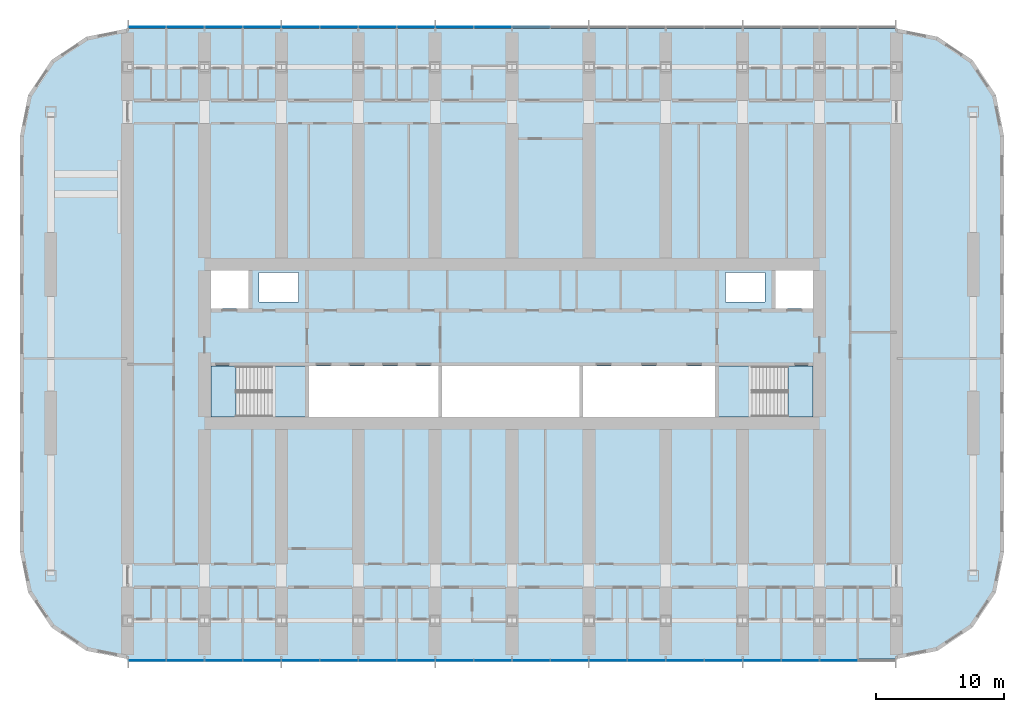
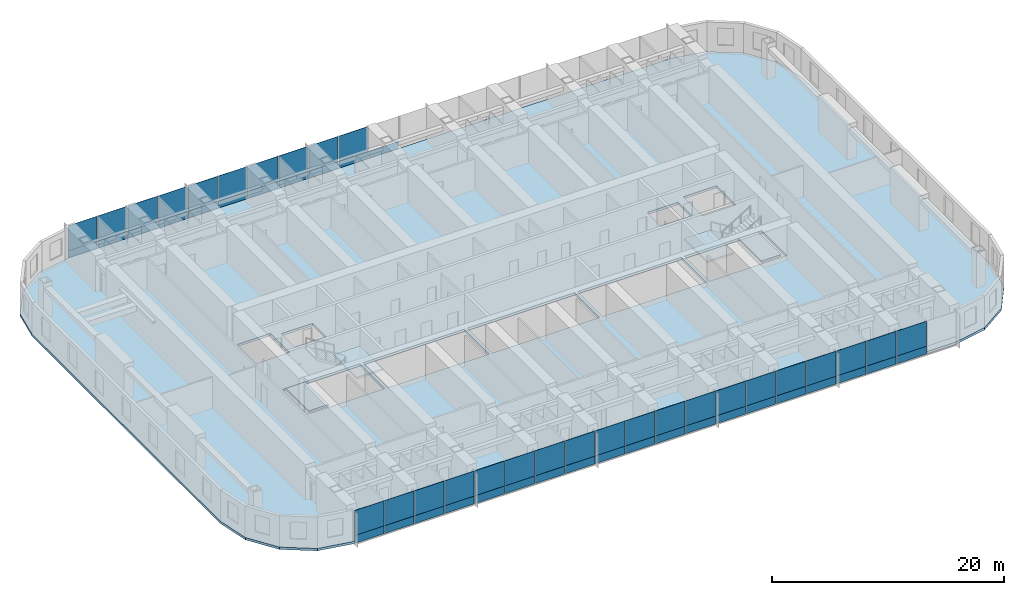
# One storey, part 8 of 24: 59 plates, 5 slabs, 4 elements without a shape of their own.
"""IFC4 building model written with IfcOpenShell, lengths in metres."""

from ifc_helpers import new_model, si_unit, direction, frame, origin, origin_2d, place, context, subcontext, project, spatial, polyline, rectangle, outline, extrude, material, layer, layer_set, type_object, element, aggregate, save


model = new_model("IFC4")

# Units and contexts
model_context = context("Model", 3, precision=1e-05, world=origin(), true_north=direction((0.0, 1.0)))
body_context = subcontext(model_context, "Body", "Model", "MODEL_VIEW")
ifc_project = project(units=[si_unit("LENGTHUNIT", "METRE"), si_unit("AREAUNIT", "SQUARE_METRE"), si_unit("VOLUMEUNIT", "CUBIC_METRE"), si_unit("PLANEANGLEUNIT", "RADIAN"), si_unit("MASSUNIT", "GRAM", prefix="KILO")], contexts=[model_context])

# Site, building, storey
site_placement = place(None, origin())
site = spatial("IfcSite", under=ifc_project, at=site_placement, CompositionType="ELEMENT")
building_placement = place(site_placement, origin())
building = spatial("IfcBuilding", under=site, at=building_placement, Name="Orbita Commons", CompositionType="ELEMENT")
storey_placement = place(building_placement, frame((0.0, 0.0, 20.199951171875)))
storey = spatial("IfcBuildingStorey", under=building, at=storey_placement, Name="L04", CompositionType="ELEMENT", Elevation=20.199951171875)

# Slab
ifc_material_1 = material(Name="Concrete C40/50", Category="concrete")
ifc_layer_1 = layer(ifc_material_1, 0.25)
ifc_layer_set_1 = layer_set([ifc_layer_1], Name="Concrete C40/50")
slab_type_1 = type_object("IfcSlabType", Name="Floor slab 250", PredefinedType="FLOOR", material=ifc_layer_set_1)
slab_1_placement = place(storey_placement, frame((0.0, 0.0, -0.25)))
element("IfcSlab", 1, at=slab_1_placement, inside=storey, type_object=slab_type_1, Name="Floor slab L04", PredefinedType="FLOOR", context=body_context, shape_type="SweptSolid", body=[
    extrude(outline(polyline([(72.0, 7.39990234375), (75.214599609375, 8.039306640625), (77.939697265625, 9.8603515625), (79.760498046875, 12.58544921875), (80.39990234375, 15.800048828125), (80.39990234375, 48.199951171875), (79.760498046875, 51.41455078125), (77.939697265625, 54.1396484375), (75.214599609375, 55.960693359375), (72.0, 56.60009765625), (12.0, 56.60009765625), (8.785400390625, 55.960693359375), (6.060302734375, 54.1396484375), (4.239501953125, 51.41455078125), (3.60009765625, 48.199951171875), (3.60009765625, 15.800048828125), (4.239501953125, 12.58544921875), (6.060302734375, 9.8603515625), (8.785400390625, 8.039306640625), (12.0, 7.39990234375), (72.0, 7.39990234375)]), holes=[polyline([(18.14990234375, 25.949951171875), (25.85009765625, 25.949951171875), (25.85009765625, 30.25), (18.14990234375, 30.25), (18.14990234375, 25.949951171875)]), polyline([(58.14990234375, 25.949951171875), (65.85009765625, 25.949951171875), (65.85009765625, 30.25), (58.14990234375, 30.25), (58.14990234375, 25.949951171875)]), polyline([(18.14990234375, 34.75), (21.449951171875, 34.75), (21.449951171875, 38.050048828125), (18.14990234375, 38.050048828125), (18.14990234375, 34.75)]), polyline([(62.550048828125, 34.75), (65.85009765625, 34.75), (65.85009765625, 38.050048828125), (62.550048828125, 38.050048828125), (62.550048828125, 34.75)]), polyline([(22.25, 35.25), (25.35009765625, 35.25), (25.35009765625, 37.550048828125), (22.25, 37.550048828125), (22.25, 35.25)]), polyline([(58.64990234375, 35.25), (61.75, 35.25), (61.75, 37.550048828125), (58.64990234375, 37.550048828125), (58.64990234375, 35.25)]), polyline([(26.14990234375, 25.949951171875), (36.25, 25.949951171875), (36.25, 30.25), (26.14990234375, 30.25), (26.14990234375, 25.949951171875)]), polyline([(36.550048828125, 25.949951171875), (47.25, 25.949951171875), (47.25, 30.25), (36.550048828125, 30.25), (36.550048828125, 25.949951171875)]), polyline([(47.550048828125, 25.949951171875), (57.85009765625, 25.949951171875), (57.85009765625, 30.25), (47.550048828125, 30.25), (47.550048828125, 25.949951171875)])]), origin(), (0.0, 0.0, 1.0), 0.25),
])

# Curtain wall, plates
ifc_material_2 = material(Name="Anodised aluminium frame, pale silver", Category="aluminium")
curtain_wall_type = type_object("IfcCurtainWallType", Name="Unitised curtain wall CW-T, vision and spandrel", PredefinedType="NOTDEFINED", material=ifc_material_2)
curtain_wall_1_placement = place(storey_placement, origin())
curtain_wall_1 = element("IfcCurtainWall", 2, at=curtain_wall_1_placement, inside=storey, type_object=curtain_wall_type, Name="Curtain wall south L04", PredefinedType="NOTDEFINED")
ifc_material_3 = material(Name="Anodised aluminium sheet on mineral wool", Category="aluminium")
ifc_layer_2 = layer(ifc_material_3, 0.050048828125)
ifc_layer_set_2 = layer_set([ifc_layer_2], Name="Anodised aluminium sheet on mineral wool")
plate_type_1 = type_object("IfcPlateType", Name="Spandrel panel, pale aluminium over insulation 50", PredefinedType="CURTAIN_PANEL", material=ifc_layer_set_2)
plate_1_placement = place(storey_placement, frame((13.52001953125, 7.2900390625, -0.14990234375), z_axis=(0.0, 0.0, 1.0), x_axis=(1.0, 0.0, 0.0)))
plate_1 = element("IfcPlate", 3, at=plate_1_placement, type_object=plate_type_1, Name="Panel 1.1 CW-L04-S", PredefinedType="CURTAIN_PANEL", context=body_context, shape_type="SweptSolid", body=[
    extrude(rectangle(XDim=2.8798828125, YDim=0.050048828125, at=origin_2d()), origin(), (0.0, 0.0, 1.0), 0.822998046875),
])
plate_2_placement = place(storey_placement, frame((16.5, 7.2900390625, -0.14990234375), z_axis=(0.0, 0.0, 1.0), x_axis=(1.0, 0.0, 0.0)))
plate_2 = element("IfcPlate", 4, at=plate_2_placement, type_object=plate_type_1, Name="Panel 2.1 CW-L04-S", PredefinedType="CURTAIN_PANEL", context=body_context, shape_type="SweptSolid", body=[
    extrude(rectangle(XDim=2.919921875, YDim=0.050048828125, at=origin_2d()), origin(), (0.0, 0.0, 1.0), 0.822998046875),
])
plate_3_placement = place(storey_placement, frame((19.5, 7.2900390625, -0.14990234375), z_axis=(0.0, 0.0, 1.0), x_axis=(1.0, 0.0, 0.0)))
plate_3 = element("IfcPlate", 5, at=plate_3_placement, type_object=plate_type_1, Name="Panel 3.1 CW-L04-S", PredefinedType="CURTAIN_PANEL", context=body_context, shape_type="SweptSolid", body=[
    extrude(rectangle(XDim=2.919921875, YDim=0.050048828125, at=origin_2d()), origin(), (0.0, 0.0, 1.0), 0.822998046875),
])
plate_4_placement = place(storey_placement, frame((22.5, 7.2900390625, -0.14990234375), z_axis=(0.0, 0.0, 1.0), x_axis=(1.0, 0.0, 0.0)))
plate_4 = element("IfcPlate", 6, at=plate_4_placement, type_object=plate_type_1, Name="Panel 4.1 CW-L04-S", PredefinedType="CURTAIN_PANEL", context=body_context, shape_type="SweptSolid", body=[
    extrude(rectangle(XDim=2.919921875, YDim=0.050048828125, at=origin_2d()), origin(), (0.0, 0.0, 1.0), 0.822998046875),
])
plate_5_placement = place(storey_placement, frame((25.5, 7.2900390625, -0.14990234375), z_axis=(0.0, 0.0, 1.0), x_axis=(1.0, 0.0, 0.0)))
plate_5 = element("IfcPlate", 7, at=plate_5_placement, type_object=plate_type_1, Name="Panel 5.1 CW-L04-S", PredefinedType="CURTAIN_PANEL", context=body_context, shape_type="SweptSolid", body=[
    extrude(rectangle(XDim=2.919921875, YDim=0.050048828125, at=origin_2d()), origin(), (0.0, 0.0, 1.0), 0.822998046875),
])
plate_6_placement = place(storey_placement, frame((28.5, 7.2900390625, -0.14990234375), z_axis=(0.0, 0.0, 1.0), x_axis=(1.0, 0.0, 0.0)))
plate_6 = element("IfcPlate", 8, at=plate_6_placement, type_object=plate_type_1, Name="Panel 6.1 CW-L04-S", PredefinedType="CURTAIN_PANEL", context=body_context, shape_type="SweptSolid", body=[
    extrude(rectangle(XDim=2.919921875, YDim=0.050048828125, at=origin_2d()), origin(), (0.0, 0.0, 1.0), 0.822998046875),
])
plate_7_placement = place(storey_placement, frame((31.5, 7.2900390625, -0.14990234375), z_axis=(0.0, 0.0, 1.0), x_axis=(1.0, 0.0, 0.0)))
plate_7 = element("IfcPlate", 9, at=plate_7_placement, type_object=plate_type_1, Name="Panel 7.1 CW-L04-S", PredefinedType="CURTAIN_PANEL", context=body_context, shape_type="SweptSolid", body=[
    extrude(rectangle(XDim=2.919921875, YDim=0.050048828125, at=origin_2d()), origin(), (0.0, 0.0, 1.0), 0.822998046875),
])
plate_8_placement = place(storey_placement, frame((34.5, 7.2900390625, -0.14990234375), z_axis=(0.0, 0.0, 1.0), x_axis=(1.0, 0.0, 0.0)))
plate_8 = element("IfcPlate", 10, at=plate_8_placement, type_object=plate_type_1, Name="Panel 8.1 CW-L04-S", PredefinedType="CURTAIN_PANEL", context=body_context, shape_type="SweptSolid", body=[
    extrude(rectangle(XDim=2.919921875, YDim=0.050048828125, at=origin_2d()), origin(), (0.0, 0.0, 1.0), 0.822998046875),
])
plate_9_placement = place(storey_placement, frame((37.5, 7.2900390625, -0.14990234375), z_axis=(0.0, 0.0, 1.0), x_axis=(1.0, 0.0, 0.0)))
plate_9 = element("IfcPlate", 11, at=plate_9_placement, type_object=plate_type_1, Name="Panel 9.1 CW-L04-S", PredefinedType="CURTAIN_PANEL", context=body_context, shape_type="SweptSolid", body=[
    extrude(rectangle(XDim=2.919921875, YDim=0.050048828125, at=origin_2d()), origin(), (0.0, 0.0, 1.0), 0.822998046875),
])
plate_10_placement = place(storey_placement, frame((40.5, 7.2900390625, -0.14990234375), z_axis=(0.0, 0.0, 1.0), x_axis=(1.0, 0.0, 0.0)))
plate_10 = element("IfcPlate", 12, at=plate_10_placement, type_object=plate_type_1, Name="Panel 10.1 CW-L04-S", PredefinedType="CURTAIN_PANEL", context=body_context, shape_type="SweptSolid", body=[
    extrude(rectangle(XDim=2.919921875, YDim=0.050048828125, at=origin_2d()), origin(), (0.0, 0.0, 1.0), 0.822998046875),
])
plate_11_placement = place(storey_placement, frame((43.5, 7.2900390625, -0.14990234375), z_axis=(0.0, 0.0, 1.0), x_axis=(1.0, 0.0, 0.0)))
plate_11 = element("IfcPlate", 13, at=plate_11_placement, type_object=plate_type_1, Name="Panel 11.1 CW-L04-S", PredefinedType="CURTAIN_PANEL", context=body_context, shape_type="SweptSolid", body=[
    extrude(rectangle(XDim=2.919921875, YDim=0.050048828125, at=origin_2d()), origin(), (0.0, 0.0, 1.0), 0.822998046875),
])
plate_12_placement = place(storey_placement, frame((46.5, 7.2900390625, -0.14990234375), z_axis=(0.0, 0.0, 1.0), x_axis=(1.0, 0.0, 0.0)))
plate_12 = element("IfcPlate", 14, at=plate_12_placement, type_object=plate_type_1, Name="Panel 12.1 CW-L04-S", PredefinedType="CURTAIN_PANEL", context=body_context, shape_type="SweptSolid", body=[
    extrude(rectangle(XDim=2.919921875, YDim=0.050048828125, at=origin_2d()), origin(), (0.0, 0.0, 1.0), 0.822998046875),
])
plate_13_placement = place(storey_placement, frame((49.5, 7.2900390625, -0.14990234375), z_axis=(0.0, 0.0, 1.0), x_axis=(1.0, 0.0, 0.0)))
plate_13 = element("IfcPlate", 15, at=plate_13_placement, type_object=plate_type_1, Name="Panel 13.1 CW-L04-S", PredefinedType="CURTAIN_PANEL", context=body_context, shape_type="SweptSolid", body=[
    extrude(rectangle(XDim=2.919921875, YDim=0.050048828125, at=origin_2d()), origin(), (0.0, 0.0, 1.0), 0.822998046875),
])
plate_14_placement = place(storey_placement, frame((52.5, 7.2900390625, -0.14990234375), z_axis=(0.0, 0.0, 1.0), x_axis=(1.0, 0.0, 0.0)))
plate_14 = element("IfcPlate", 16, at=plate_14_placement, type_object=plate_type_1, Name="Panel 14.1 CW-L04-S", PredefinedType="CURTAIN_PANEL", context=body_context, shape_type="SweptSolid", body=[
    extrude(rectangle(XDim=2.919921875, YDim=0.050048828125, at=origin_2d()), origin(), (0.0, 0.0, 1.0), 0.822998046875),
])
plate_15_placement = place(storey_placement, frame((55.5, 7.2900390625, -0.14990234375), z_axis=(0.0, 0.0, 1.0), x_axis=(1.0, 0.0, 0.0)))
plate_15 = element("IfcPlate", 17, at=plate_15_placement, type_object=plate_type_1, Name="Panel 15.1 CW-L04-S", PredefinedType="CURTAIN_PANEL", context=body_context, shape_type="SweptSolid", body=[
    extrude(rectangle(XDim=2.919921875, YDim=0.050048828125, at=origin_2d()), origin(), (0.0, 0.0, 1.0), 0.822998046875),
])
plate_16_placement = place(storey_placement, frame((58.5, 7.2900390625, -0.14990234375), z_axis=(0.0, 0.0, 1.0), x_axis=(1.0, 0.0, 0.0)))
plate_16 = element("IfcPlate", 18, at=plate_16_placement, type_object=plate_type_1, Name="Panel 16.1 CW-L04-S", PredefinedType="CURTAIN_PANEL", context=body_context, shape_type="SweptSolid", body=[
    extrude(rectangle(XDim=2.919921875, YDim=0.050048828125, at=origin_2d()), origin(), (0.0, 0.0, 1.0), 0.822998046875),
])
plate_17_placement = place(storey_placement, frame((61.5, 7.2900390625, -0.14990234375), z_axis=(0.0, 0.0, 1.0), x_axis=(1.0, 0.0, 0.0)))
plate_17 = element("IfcPlate", 19, at=plate_17_placement, type_object=plate_type_1, Name="Panel 17.1 CW-L04-S", PredefinedType="CURTAIN_PANEL", context=body_context, shape_type="SweptSolid", body=[
    extrude(rectangle(XDim=2.919921875, YDim=0.050048828125, at=origin_2d()), origin(), (0.0, 0.0, 1.0), 0.822998046875),
])
plate_18_placement = place(storey_placement, frame((64.5, 7.2900390625, -0.14990234375), z_axis=(0.0, 0.0, 1.0), x_axis=(1.0, 0.0, 0.0)))
plate_18 = element("IfcPlate", 20, at=plate_18_placement, type_object=plate_type_1, Name="Panel 18.1 CW-L04-S", PredefinedType="CURTAIN_PANEL", context=body_context, shape_type="SweptSolid", body=[
    extrude(rectangle(XDim=2.919921875, YDim=0.050048828125, at=origin_2d()), origin(), (0.0, 0.0, 1.0), 0.822998046875),
])
plate_19_placement = place(storey_placement, frame((67.5, 7.2900390625, -0.14990234375), z_axis=(0.0, 0.0, 1.0), x_axis=(1.0, 0.0, 0.0)))
plate_19 = element("IfcPlate", 21, at=plate_19_placement, type_object=plate_type_1, Name="Panel 19.1 CW-L04-S", PredefinedType="CURTAIN_PANEL", context=body_context, shape_type="SweptSolid", body=[
    extrude(rectangle(XDim=2.919921875, YDim=0.050048828125, at=origin_2d()), origin(), (0.0, 0.0, 1.0), 0.822998046875),
])

curtain_wall_2_placement = place(storey_placement, origin())
curtain_wall_2 = element("IfcCurtainWall", 22, at=curtain_wall_2_placement, inside=storey, type_object=curtain_wall_type, Name="Curtain wall north L04", PredefinedType="NOTDEFINED")
plate_20_placement = place(storey_placement, frame((43.5, 56.7099609375, -0.14990234375), z_axis=(0.0, 0.0, 1.0), x_axis=(-1.0, 0.0, 0.0)))
plate_20 = element("IfcPlate", 23, at=plate_20_placement, type_object=plate_type_1, Name="Panel 10.1 CW-L04-N", PredefinedType="CURTAIN_PANEL", context=body_context, shape_type="SweptSolid", body=[
    extrude(rectangle(XDim=2.919921875, YDim=0.050048828125, at=origin_2d()), origin(), (0.0, 0.0, 1.0), 0.822998046875),
])
plate_21_placement = place(storey_placement, frame((40.5, 56.7099609375, -0.14990234375), z_axis=(0.0, 0.0, 1.0), x_axis=(-1.0, 0.0, 0.0)))
plate_21 = element("IfcPlate", 24, at=plate_21_placement, type_object=plate_type_1, Name="Panel 11.1 CW-L04-N", PredefinedType="CURTAIN_PANEL", context=body_context, shape_type="SweptSolid", body=[
    extrude(rectangle(XDim=2.919921875, YDim=0.050048828125, at=origin_2d()), origin(), (0.0, 0.0, 1.0), 0.822998046875),
])
plate_22_placement = place(storey_placement, frame((37.5, 56.7099609375, -0.14990234375), z_axis=(0.0, 0.0, 1.0), x_axis=(-1.0, 0.0, 0.0)))
plate_22 = element("IfcPlate", 25, at=plate_22_placement, type_object=plate_type_1, Name="Panel 12.1 CW-L04-N", PredefinedType="CURTAIN_PANEL", context=body_context, shape_type="SweptSolid", body=[
    extrude(rectangle(XDim=2.919921875, YDim=0.050048828125, at=origin_2d()), origin(), (0.0, 0.0, 1.0), 0.822998046875),
])
plate_23_placement = place(storey_placement, frame((34.5, 56.7099609375, -0.14990234375), z_axis=(0.0, 0.0, 1.0), x_axis=(-1.0, 0.0, 0.0)))
plate_23 = element("IfcPlate", 26, at=plate_23_placement, type_object=plate_type_1, Name="Panel 13.1 CW-L04-N", PredefinedType="CURTAIN_PANEL", context=body_context, shape_type="SweptSolid", body=[
    extrude(rectangle(XDim=2.919921875, YDim=0.050048828125, at=origin_2d()), origin(), (0.0, 0.0, 1.0), 0.822998046875),
])
plate_24_placement = place(storey_placement, frame((31.5, 56.7099609375, -0.14990234375), z_axis=(0.0, 0.0, 1.0), x_axis=(-1.0, 0.0, 0.0)))
plate_24 = element("IfcPlate", 27, at=plate_24_placement, type_object=plate_type_1, Name="Panel 14.1 CW-L04-N", PredefinedType="CURTAIN_PANEL", context=body_context, shape_type="SweptSolid", body=[
    extrude(rectangle(XDim=2.919921875, YDim=0.050048828125, at=origin_2d()), origin(), (0.0, 0.0, 1.0), 0.822998046875),
])
plate_25_placement = place(storey_placement, frame((28.5, 56.7099609375, -0.14990234375), z_axis=(0.0, 0.0, 1.0), x_axis=(-1.0, 0.0, 0.0)))
plate_25 = element("IfcPlate", 28, at=plate_25_placement, type_object=plate_type_1, Name="Panel 15.1 CW-L04-N", PredefinedType="CURTAIN_PANEL", context=body_context, shape_type="SweptSolid", body=[
    extrude(rectangle(XDim=2.919921875, YDim=0.050048828125, at=origin_2d()), origin(), (0.0, 0.0, 1.0), 0.822998046875),
])
plate_26_placement = place(storey_placement, frame((25.5, 56.7099609375, -0.14990234375), z_axis=(0.0, 0.0, 1.0), x_axis=(-1.0, 0.0, 0.0)))
plate_26 = element("IfcPlate", 29, at=plate_26_placement, type_object=plate_type_1, Name="Panel 16.1 CW-L04-N", PredefinedType="CURTAIN_PANEL", context=body_context, shape_type="SweptSolid", body=[
    extrude(rectangle(XDim=2.919921875, YDim=0.050048828125, at=origin_2d()), origin(), (0.0, 0.0, 1.0), 0.822998046875),
])
plate_27_placement = place(storey_placement, frame((22.5, 56.7099609375, -0.14990234375), z_axis=(0.0, 0.0, 1.0), x_axis=(-1.0, 0.0, 0.0)))
plate_27 = element("IfcPlate", 30, at=plate_27_placement, type_object=plate_type_1, Name="Panel 17.1 CW-L04-N", PredefinedType="CURTAIN_PANEL", context=body_context, shape_type="SweptSolid", body=[
    extrude(rectangle(XDim=2.919921875, YDim=0.050048828125, at=origin_2d()), origin(), (0.0, 0.0, 1.0), 0.822998046875),
])
plate_28_placement = place(storey_placement, frame((19.5, 56.7099609375, -0.14990234375), z_axis=(0.0, 0.0, 1.0), x_axis=(-1.0, 0.0, 0.0)))
plate_28 = element("IfcPlate", 31, at=plate_28_placement, type_object=plate_type_1, Name="Panel 18.1 CW-L04-N", PredefinedType="CURTAIN_PANEL", context=body_context, shape_type="SweptSolid", body=[
    extrude(rectangle(XDim=2.919921875, YDim=0.050048828125, at=origin_2d()), origin(), (0.0, 0.0, 1.0), 0.822998046875),
])
plate_29_placement = place(storey_placement, frame((16.5, 56.7099609375, -0.14990234375), z_axis=(0.0, 0.0, 1.0), x_axis=(-1.0, 0.0, 0.0)))
plate_29 = element("IfcPlate", 32, at=plate_29_placement, type_object=plate_type_1, Name="Panel 19.1 CW-L04-N", PredefinedType="CURTAIN_PANEL", context=body_context, shape_type="SweptSolid", body=[
    extrude(rectangle(XDim=2.919921875, YDim=0.050048828125, at=origin_2d()), origin(), (0.0, 0.0, 1.0), 0.822998046875),
])
plate_30_placement = place(storey_placement, frame((13.52001953125, 56.7099609375, -0.14990234375), z_axis=(0.0, 0.0, 1.0), x_axis=(-1.0, 0.0, 0.0)))
plate_30 = element("IfcPlate", 33, at=plate_30_placement, type_object=plate_type_1, Name="Panel 20.1 CW-L04-N", PredefinedType="CURTAIN_PANEL", context=body_context, shape_type="SweptSolid", body=[
    extrude(rectangle(XDim=2.8798828125, YDim=0.050048828125, at=origin_2d()), origin(), (0.0, 0.0, 1.0), 0.822998046875),
])

# Stair, slabs
ifc_material_4 = material(Name="Precast concrete C40/50", Category="concrete")
stair_type_1 = type_object("IfcStairType", Name="Exit stair S1 2 flights 11 risers 170", PredefinedType="HALF_TURN_STAIR", material=ifc_material_4)
stair_1_placement = place(storey_placement, origin())
stair_1 = element("IfcStair", 34, at=stair_1_placement, inside=storey, type_object=stair_type_1, Name="Exit stair S1 L04", PredefinedType="HALF_TURN_STAIR")
ifc_material_5 = material(Name="Concrete C40/50", Category="concrete")
ifc_layer_3 = layer(ifc_material_5, 0.199951171875)
ifc_layer_set_3 = layer_set([ifc_layer_3], Name="Concrete C40/50")
slab_type_2 = type_object("IfcSlabType", Name="Stair landing 200", PredefinedType="LANDING", material=ifc_layer_set_3)
slab_2_placement = place(storey_placement, frame((0.0, 0.0, -0.199951171875)))
slab_2 = element("IfcSlab", 35, at=slab_2_placement, type_object=slab_type_2, Name="S1 landing 1", PredefinedType="LANDING", context=body_context, shape_type="SweptSolid", body=[
    extrude(outline(polyline([(18.5, 26.300048828125), (20.449951171875, 26.300048828125), (20.449951171875, 30.25), (18.5, 30.25), (18.5, 26.300048828125)])), origin(), (0.0, 0.0, 1.0), 0.199951171875),
])
slab_3_placement = place(storey_placement, frame((0.0, 0.0, 1.675048828125)))
slab_3 = element("IfcSlab", 36, at=slab_3_placement, type_object=slab_type_2, Name="S1 landing 2", PredefinedType="LANDING", context=body_context, shape_type="SweptSolid", body=[
    extrude(outline(polyline([(23.25, 26.284912109375), (25.864990234375, 26.284912109375), (25.864990234375, 30.264892578125), (23.25, 30.264892578125), (23.25, 26.284912109375)])), origin(), (0.0, 0.0, 1.0), 0.199951171875),
])
aggregate(stair_1, [slab_2, slab_3])

ifc_material_6 = material(Name="Precast concrete C40/50", Category="concrete")
stair_type_2 = type_object("IfcStairType", Name="Exit stair S2 2 flights 11 risers 170", PredefinedType="HALF_TURN_STAIR", material=ifc_material_6)
stair_2_placement = place(storey_placement, origin())
stair_2 = element("IfcStair", 37, at=stair_2_placement, inside=storey, type_object=stair_type_2, Name="Exit stair S2 L04", PredefinedType="HALF_TURN_STAIR")
slab_4_placement = place(storey_placement, frame((0.0, 0.0, -0.199951171875)))
slab_4 = element("IfcSlab", 38, at=slab_4_placement, type_object=slab_type_2, Name="S2 landing 1", PredefinedType="LANDING", context=body_context, shape_type="SweptSolid", body=[
    extrude(outline(polyline([(63.550048828125, 26.300048828125), (65.5, 26.300048828125), (65.5, 30.25), (63.550048828125, 30.25), (63.550048828125, 26.300048828125)])), origin(), (0.0, 0.0, 1.0), 0.199951171875),
])
slab_5_placement = place(storey_placement, frame((0.0, 0.0, 1.675048828125)))
slab_5 = element("IfcSlab", 39, at=slab_5_placement, type_object=slab_type_2, Name="S2 landing 2", PredefinedType="LANDING", context=body_context, shape_type="SweptSolid", body=[
    extrude(outline(polyline([(58.135009765625, 26.284912109375), (60.75, 26.284912109375), (60.75, 30.264892578125), (58.135009765625, 30.264892578125), (58.135009765625, 26.284912109375)])), origin(), (0.0, 0.0, 1.0), 0.199951171875),
])
aggregate(stair_2, [slab_4, slab_5])

# Plate
ifc_material_7 = material(Name="Clear double glazing", Category="glass")
ifc_layer_4 = layer(ifc_material_7, 0.031982421875)
ifc_layer_set_4 = layer_set([ifc_layer_4], Name="Clear double glazing")
plate_type_2 = type_object("IfcPlateType", Name="Vision panel, clear double glazing 32", PredefinedType="CURTAIN_PANEL", material=ifc_layer_set_4)
plate_31_placement = place(storey_placement, frame((13.52001953125, 7.2900390625, 0.673095703125), z_axis=(0.0, 0.0, 1.0), x_axis=(1.0, 0.0, 0.0)))
plate_31 = element("IfcPlate", 40, at=plate_31_placement, type_object=plate_type_2, Name="Panel 1.2 CW-L04-S", PredefinedType="CURTAIN_PANEL", context=body_context, shape_type="SweptSolid", body=[
    extrude(rectangle(XDim=2.8798828125, YDim=0.031982421875, at=origin_2d()), origin(), (0.0, 0.0, 1.0), 2.626953125),
])

plate_32_placement = place(storey_placement, frame((16.5, 7.2900390625, 0.673095703125), z_axis=(0.0, 0.0, 1.0), x_axis=(1.0, 0.0, 0.0)))
plate_32 = element("IfcPlate", 41, at=plate_32_placement, type_object=plate_type_2, Name="Panel 2.2 CW-L04-S", PredefinedType="CURTAIN_PANEL", context=body_context, shape_type="SweptSolid", body=[
    extrude(rectangle(XDim=2.919921875, YDim=0.031982421875, at=origin_2d()), origin(), (0.0, 0.0, 1.0), 2.626953125),
])

plate_33_placement = place(storey_placement, frame((19.5, 7.2900390625, 0.673095703125), z_axis=(0.0, 0.0, 1.0), x_axis=(1.0, 0.0, 0.0)))
plate_33 = element("IfcPlate", 42, at=plate_33_placement, type_object=plate_type_2, Name="Panel 3.2 CW-L04-S", PredefinedType="CURTAIN_PANEL", context=body_context, shape_type="SweptSolid", body=[
    extrude(rectangle(XDim=2.919921875, YDim=0.031982421875, at=origin_2d()), origin(), (0.0, 0.0, 1.0), 2.626953125),
])

plate_34_placement = place(storey_placement, frame((22.5, 7.2900390625, 0.673095703125), z_axis=(0.0, 0.0, 1.0), x_axis=(1.0, 0.0, 0.0)))
plate_34 = element("IfcPlate", 43, at=plate_34_placement, type_object=plate_type_2, Name="Panel 4.2 CW-L04-S", PredefinedType="CURTAIN_PANEL", context=body_context, shape_type="SweptSolid", body=[
    extrude(rectangle(XDim=2.919921875, YDim=0.031982421875, at=origin_2d()), origin(), (0.0, 0.0, 1.0), 2.626953125),
])

plate_35_placement = place(storey_placement, frame((25.5, 7.2900390625, 0.673095703125), z_axis=(0.0, 0.0, 1.0), x_axis=(1.0, 0.0, 0.0)))
plate_35 = element("IfcPlate", 44, at=plate_35_placement, type_object=plate_type_2, Name="Panel 5.2 CW-L04-S", PredefinedType="CURTAIN_PANEL", context=body_context, shape_type="SweptSolid", body=[
    extrude(rectangle(XDim=2.919921875, YDim=0.031982421875, at=origin_2d()), origin(), (0.0, 0.0, 1.0), 2.626953125),
])

plate_36_placement = place(storey_placement, frame((28.5, 7.2900390625, 0.673095703125), z_axis=(0.0, 0.0, 1.0), x_axis=(1.0, 0.0, 0.0)))
plate_36 = element("IfcPlate", 45, at=plate_36_placement, type_object=plate_type_2, Name="Panel 6.2 CW-L04-S", PredefinedType="CURTAIN_PANEL", context=body_context, shape_type="SweptSolid", body=[
    extrude(rectangle(XDim=2.919921875, YDim=0.031982421875, at=origin_2d()), origin(), (0.0, 0.0, 1.0), 2.626953125),
])

plate_37_placement = place(storey_placement, frame((31.5, 7.2900390625, 0.673095703125), z_axis=(0.0, 0.0, 1.0), x_axis=(1.0, 0.0, 0.0)))
plate_37 = element("IfcPlate", 46, at=plate_37_placement, type_object=plate_type_2, Name="Panel 7.2 CW-L04-S", PredefinedType="CURTAIN_PANEL", context=body_context, shape_type="SweptSolid", body=[
    extrude(rectangle(XDim=2.919921875, YDim=0.031982421875, at=origin_2d()), origin(), (0.0, 0.0, 1.0), 2.626953125),
])

plate_38_placement = place(storey_placement, frame((34.5, 7.2900390625, 0.673095703125), z_axis=(0.0, 0.0, 1.0), x_axis=(1.0, 0.0, 0.0)))
plate_38 = element("IfcPlate", 47, at=plate_38_placement, type_object=plate_type_2, Name="Panel 8.2 CW-L04-S", PredefinedType="CURTAIN_PANEL", context=body_context, shape_type="SweptSolid", body=[
    extrude(rectangle(XDim=2.919921875, YDim=0.031982421875, at=origin_2d()), origin(), (0.0, 0.0, 1.0), 2.626953125),
])

plate_39_placement = place(storey_placement, frame((37.5, 7.2900390625, 0.673095703125), z_axis=(0.0, 0.0, 1.0), x_axis=(1.0, 0.0, 0.0)))
plate_39 = element("IfcPlate", 48, at=plate_39_placement, type_object=plate_type_2, Name="Panel 9.2 CW-L04-S", PredefinedType="CURTAIN_PANEL", context=body_context, shape_type="SweptSolid", body=[
    extrude(rectangle(XDim=2.919921875, YDim=0.031982421875, at=origin_2d()), origin(), (0.0, 0.0, 1.0), 2.626953125),
])

plate_40_placement = place(storey_placement, frame((40.5, 7.2900390625, 0.673095703125), z_axis=(0.0, 0.0, 1.0), x_axis=(1.0, 0.0, 0.0)))
plate_40 = element("IfcPlate", 49, at=plate_40_placement, type_object=plate_type_2, Name="Panel 10.2 CW-L04-S", PredefinedType="CURTAIN_PANEL", context=body_context, shape_type="SweptSolid", body=[
    extrude(rectangle(XDim=2.919921875, YDim=0.031982421875, at=origin_2d()), origin(), (0.0, 0.0, 1.0), 2.626953125),
])

plate_41_placement = place(storey_placement, frame((43.5, 7.2900390625, 0.673095703125), z_axis=(0.0, 0.0, 1.0), x_axis=(1.0, 0.0, 0.0)))
plate_41 = element("IfcPlate", 50, at=plate_41_placement, type_object=plate_type_2, Name="Panel 11.2 CW-L04-S", PredefinedType="CURTAIN_PANEL", context=body_context, shape_type="SweptSolid", body=[
    extrude(rectangle(XDim=2.919921875, YDim=0.031982421875, at=origin_2d()), origin(), (0.0, 0.0, 1.0), 2.626953125),
])

plate_42_placement = place(storey_placement, frame((46.5, 7.2900390625, 0.673095703125), z_axis=(0.0, 0.0, 1.0), x_axis=(1.0, 0.0, 0.0)))
plate_42 = element("IfcPlate", 51, at=plate_42_placement, type_object=plate_type_2, Name="Panel 12.2 CW-L04-S", PredefinedType="CURTAIN_PANEL", context=body_context, shape_type="SweptSolid", body=[
    extrude(rectangle(XDim=2.919921875, YDim=0.031982421875, at=origin_2d()), origin(), (0.0, 0.0, 1.0), 2.626953125),
])

plate_43_placement = place(storey_placement, frame((49.5, 7.2900390625, 0.673095703125), z_axis=(0.0, 0.0, 1.0), x_axis=(1.0, 0.0, 0.0)))
plate_43 = element("IfcPlate", 52, at=plate_43_placement, type_object=plate_type_2, Name="Panel 13.2 CW-L04-S", PredefinedType="CURTAIN_PANEL", context=body_context, shape_type="SweptSolid", body=[
    extrude(rectangle(XDim=2.919921875, YDim=0.031982421875, at=origin_2d()), origin(), (0.0, 0.0, 1.0), 2.626953125),
])

plate_44_placement = place(storey_placement, frame((52.5, 7.2900390625, 0.673095703125), z_axis=(0.0, 0.0, 1.0), x_axis=(1.0, 0.0, 0.0)))
plate_44 = element("IfcPlate", 53, at=plate_44_placement, type_object=plate_type_2, Name="Panel 14.2 CW-L04-S", PredefinedType="CURTAIN_PANEL", context=body_context, shape_type="SweptSolid", body=[
    extrude(rectangle(XDim=2.919921875, YDim=0.031982421875, at=origin_2d()), origin(), (0.0, 0.0, 1.0), 2.626953125),
])

plate_45_placement = place(storey_placement, frame((55.5, 7.2900390625, 0.673095703125), z_axis=(0.0, 0.0, 1.0), x_axis=(1.0, 0.0, 0.0)))
plate_45 = element("IfcPlate", 54, at=plate_45_placement, type_object=plate_type_2, Name="Panel 15.2 CW-L04-S", PredefinedType="CURTAIN_PANEL", context=body_context, shape_type="SweptSolid", body=[
    extrude(rectangle(XDim=2.919921875, YDim=0.031982421875, at=origin_2d()), origin(), (0.0, 0.0, 1.0), 2.626953125),
])

plate_46_placement = place(storey_placement, frame((58.5, 7.2900390625, 0.673095703125), z_axis=(0.0, 0.0, 1.0), x_axis=(1.0, 0.0, 0.0)))
plate_46 = element("IfcPlate", 55, at=plate_46_placement, type_object=plate_type_2, Name="Panel 16.2 CW-L04-S", PredefinedType="CURTAIN_PANEL", context=body_context, shape_type="SweptSolid", body=[
    extrude(rectangle(XDim=2.919921875, YDim=0.031982421875, at=origin_2d()), origin(), (0.0, 0.0, 1.0), 2.626953125),
])

plate_47_placement = place(storey_placement, frame((61.5, 7.2900390625, 0.673095703125), z_axis=(0.0, 0.0, 1.0), x_axis=(1.0, 0.0, 0.0)))
plate_47 = element("IfcPlate", 56, at=plate_47_placement, type_object=plate_type_2, Name="Panel 17.2 CW-L04-S", PredefinedType="CURTAIN_PANEL", context=body_context, shape_type="SweptSolid", body=[
    extrude(rectangle(XDim=2.919921875, YDim=0.031982421875, at=origin_2d()), origin(), (0.0, 0.0, 1.0), 2.626953125),
])

plate_48_placement = place(storey_placement, frame((64.5, 7.2900390625, 0.673095703125), z_axis=(0.0, 0.0, 1.0), x_axis=(1.0, 0.0, 0.0)))
plate_48 = element("IfcPlate", 57, at=plate_48_placement, type_object=plate_type_2, Name="Panel 18.2 CW-L04-S", PredefinedType="CURTAIN_PANEL", context=body_context, shape_type="SweptSolid", body=[
    extrude(rectangle(XDim=2.919921875, YDim=0.031982421875, at=origin_2d()), origin(), (0.0, 0.0, 1.0), 2.626953125),
])

plate_49_placement = place(storey_placement, frame((67.5, 7.2900390625, 0.673095703125), z_axis=(0.0, 0.0, 1.0), x_axis=(1.0, 0.0, 0.0)))
plate_49 = element("IfcPlate", 58, at=plate_49_placement, type_object=plate_type_2, Name="Panel 19.2 CW-L04-S", PredefinedType="CURTAIN_PANEL", context=body_context, shape_type="SweptSolid", body=[
    extrude(rectangle(XDim=2.919921875, YDim=0.031982421875, at=origin_2d()), origin(), (0.0, 0.0, 1.0), 2.626953125),
])

aggregate(curtain_wall_1, [plate_1, plate_31, plate_2, plate_32, plate_3, plate_33, plate_4, plate_34, plate_5, plate_35, plate_6, plate_36, plate_7, plate_37, plate_8, plate_38, plate_9, plate_39, plate_10, plate_40, plate_11, plate_41, plate_12, plate_42, plate_13, plate_43, plate_14, plate_44, plate_15, plate_45, plate_16, plate_46, plate_17, plate_47, plate_18, plate_48, plate_19, plate_49])

plate_50_placement = place(storey_placement, frame((40.5, 56.7099609375, 0.673095703125), z_axis=(0.0, 0.0, 1.0), x_axis=(-1.0, 0.0, 0.0)))
plate_50 = element("IfcPlate", 59, at=plate_50_placement, type_object=plate_type_2, Name="Panel 11.2 CW-L04-N", PredefinedType="CURTAIN_PANEL", context=body_context, shape_type="SweptSolid", body=[
    extrude(rectangle(XDim=2.919921875, YDim=0.031982421875, at=origin_2d()), origin(), (0.0, 0.0, 1.0), 2.626953125),
])

plate_51_placement = place(storey_placement, frame((37.5, 56.7099609375, 0.673095703125), z_axis=(0.0, 0.0, 1.0), x_axis=(-1.0, 0.0, 0.0)))
plate_51 = element("IfcPlate", 60, at=plate_51_placement, type_object=plate_type_2, Name="Panel 12.2 CW-L04-N", PredefinedType="CURTAIN_PANEL", context=body_context, shape_type="SweptSolid", body=[
    extrude(rectangle(XDim=2.919921875, YDim=0.031982421875, at=origin_2d()), origin(), (0.0, 0.0, 1.0), 2.626953125),
])

plate_52_placement = place(storey_placement, frame((34.5, 56.7099609375, 0.673095703125), z_axis=(0.0, 0.0, 1.0), x_axis=(-1.0, 0.0, 0.0)))
plate_52 = element("IfcPlate", 61, at=plate_52_placement, type_object=plate_type_2, Name="Panel 13.2 CW-L04-N", PredefinedType="CURTAIN_PANEL", context=body_context, shape_type="SweptSolid", body=[
    extrude(rectangle(XDim=2.919921875, YDim=0.031982421875, at=origin_2d()), origin(), (0.0, 0.0, 1.0), 2.626953125),
])

plate_53_placement = place(storey_placement, frame((31.5, 56.7099609375, 0.673095703125), z_axis=(0.0, 0.0, 1.0), x_axis=(-1.0, 0.0, 0.0)))
plate_53 = element("IfcPlate", 62, at=plate_53_placement, type_object=plate_type_2, Name="Panel 14.2 CW-L04-N", PredefinedType="CURTAIN_PANEL", context=body_context, shape_type="SweptSolid", body=[
    extrude(rectangle(XDim=2.919921875, YDim=0.031982421875, at=origin_2d()), origin(), (0.0, 0.0, 1.0), 2.626953125),
])

plate_54_placement = place(storey_placement, frame((28.5, 56.7099609375, 0.673095703125), z_axis=(0.0, 0.0, 1.0), x_axis=(-1.0, 0.0, 0.0)))
plate_54 = element("IfcPlate", 63, at=plate_54_placement, type_object=plate_type_2, Name="Panel 15.2 CW-L04-N", PredefinedType="CURTAIN_PANEL", context=body_context, shape_type="SweptSolid", body=[
    extrude(rectangle(XDim=2.919921875, YDim=0.031982421875, at=origin_2d()), origin(), (0.0, 0.0, 1.0), 2.626953125),
])

plate_55_placement = place(storey_placement, frame((25.5, 56.7099609375, 0.673095703125), z_axis=(0.0, 0.0, 1.0), x_axis=(-1.0, 0.0, 0.0)))
plate_55 = element("IfcPlate", 64, at=plate_55_placement, type_object=plate_type_2, Name="Panel 16.2 CW-L04-N", PredefinedType="CURTAIN_PANEL", context=body_context, shape_type="SweptSolid", body=[
    extrude(rectangle(XDim=2.919921875, YDim=0.031982421875, at=origin_2d()), origin(), (0.0, 0.0, 1.0), 2.626953125),
])

plate_56_placement = place(storey_placement, frame((22.5, 56.7099609375, 0.673095703125), z_axis=(0.0, 0.0, 1.0), x_axis=(-1.0, 0.0, 0.0)))
plate_56 = element("IfcPlate", 65, at=plate_56_placement, type_object=plate_type_2, Name="Panel 17.2 CW-L04-N", PredefinedType="CURTAIN_PANEL", context=body_context, shape_type="SweptSolid", body=[
    extrude(rectangle(XDim=2.919921875, YDim=0.031982421875, at=origin_2d()), origin(), (0.0, 0.0, 1.0), 2.626953125),
])

plate_57_placement = place(storey_placement, frame((19.5, 56.7099609375, 0.673095703125), z_axis=(0.0, 0.0, 1.0), x_axis=(-1.0, 0.0, 0.0)))
plate_57 = element("IfcPlate", 66, at=plate_57_placement, type_object=plate_type_2, Name="Panel 18.2 CW-L04-N", PredefinedType="CURTAIN_PANEL", context=body_context, shape_type="SweptSolid", body=[
    extrude(rectangle(XDim=2.919921875, YDim=0.031982421875, at=origin_2d()), origin(), (0.0, 0.0, 1.0), 2.626953125),
])

plate_58_placement = place(storey_placement, frame((16.5, 56.7099609375, 0.673095703125), z_axis=(0.0, 0.0, 1.0), x_axis=(-1.0, 0.0, 0.0)))
plate_58 = element("IfcPlate", 67, at=plate_58_placement, type_object=plate_type_2, Name="Panel 19.2 CW-L04-N", PredefinedType="CURTAIN_PANEL", context=body_context, shape_type="SweptSolid", body=[
    extrude(rectangle(XDim=2.919921875, YDim=0.031982421875, at=origin_2d()), origin(), (0.0, 0.0, 1.0), 2.626953125),
])

plate_59_placement = place(storey_placement, frame((13.52001953125, 56.7099609375, 0.673095703125), z_axis=(0.0, 0.0, 1.0), x_axis=(-1.0, 0.0, 0.0)))
plate_59 = element("IfcPlate", 68, at=plate_59_placement, type_object=plate_type_2, Name="Panel 20.2 CW-L04-N", PredefinedType="CURTAIN_PANEL", context=body_context, shape_type="SweptSolid", body=[
    extrude(rectangle(XDim=2.8798828125, YDim=0.031982421875, at=origin_2d()), origin(), (0.0, 0.0, 1.0), 2.626953125),
])

aggregate(curtain_wall_2, [plate_20, plate_21, plate_50, plate_22, plate_51, plate_23, plate_52, plate_24, plate_53, plate_25, plate_54, plate_26, plate_55, plate_27, plate_56, plate_28, plate_57, plate_29, plate_58, plate_30, plate_59])

save(model, "model.ifc")
